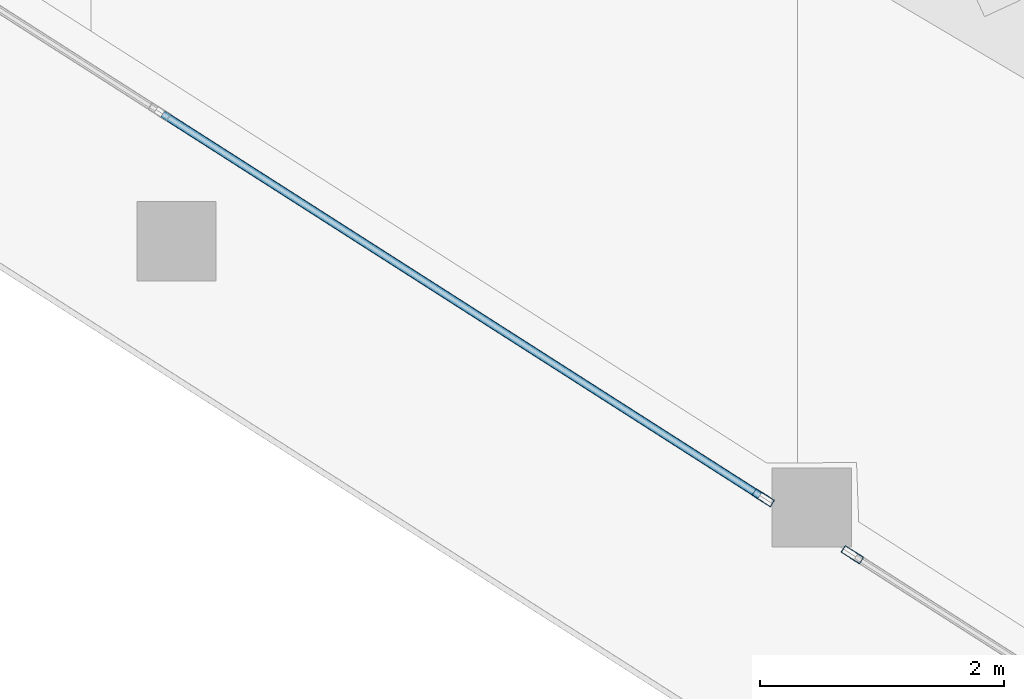
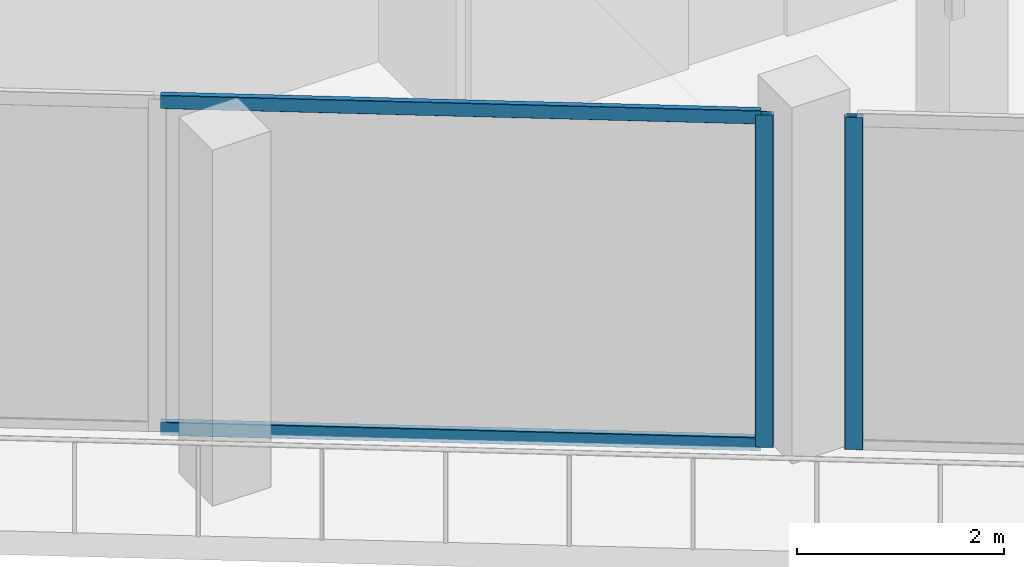
# One storey, part 5 of 44: 4 members, 2 elements without a shape of their own.
"""IFC4 building model written with IfcOpenShell, lengths in metres."""

from ifc_helpers import new_model, si_unit, direction, frame, origin, origin_2d, place, context, subcontext, project, spatial, hollow_rectangle, extrude, material, layer, layer_set, material_profile, profile_set, type_object, element, aggregate, save


model = new_model("IFC4")

# Units and contexts
model_context = context("Model", 3, precision=1e-05, world=origin(), true_north=direction((0.0, 1.0)))
body_context = subcontext(model_context, "Body", "Model", "MODEL_VIEW")
ifc_project = project(units=[si_unit("LENGTHUNIT", "METRE"), si_unit("AREAUNIT", "SQUARE_METRE"), si_unit("VOLUMEUNIT", "CUBIC_METRE"), si_unit("PLANEANGLEUNIT", "RADIAN"), si_unit("MASSUNIT", "GRAM", prefix="KILO")], contexts=[model_context])

# Site, building, storey
site_placement = place(None, origin())
site = spatial("IfcSite", under=ifc_project, at=site_placement, CompositionType="ELEMENT")
building_placement = place(site_placement, origin())
building = spatial("IfcBuilding", under=site, at=building_placement, Name="Qorvath Tower", CompositionType="ELEMENT")
storey_placement = place(building_placement, frame((0.0, 0.0, 53.39990234375)))
storey = spatial("IfcBuildingStorey", under=building, at=storey_placement, Name="L11", CompositionType="ELEMENT", Elevation=53.39990234375)

# Curtain wall, member
ifc_material_1 = material(Name="Anodised aluminium and triple low-E glass", Category="aluminium")
ifc_layer = layer(ifc_material_1, 0.179931640625)
ifc_layer_set = layer_set([ifc_layer], Name="CW-SYS-2")
curtain_wall_type = type_object("IfcCurtainWallType", Name="CW-SYS-2", PredefinedType="NOTDEFINED", material=ifc_layer_set)
curtain_wall_1_placement = place(storey_placement, origin())
curtain_wall_1 = element("IfcCurtainWall", 1, at=curtain_wall_1_placement, inside=storey, type_object=curtain_wall_type, Name="Curtain Wall CW-2 CW-T-L11-2.1", PredefinedType="NOTDEFINED")
ifc_material_2 = material(Name="Anodised aluminium 6063-T6", Category="aluminium")
ifc_material_profile_1 = material_profile(ifc_material_2, hollow_rectangle(XDim=0.06494140625, YDim=0.179931640625, WallThickness=0.00341796875, InnerFilletRadius=0.00341796875, OuterFilletRadius=0.007080078125, at=origin_2d()), Name="CWM 180x65")
ifc_profile_set_1 = profile_set([ifc_material_profile_1], Name="Anodised aluminium 6063-T6")
member_type_1 = type_object("IfcMemberType", Name="CWM-180", PredefinedType="MULLION", material=ifc_profile_set_1)
member_1_placement = place(storey_placement, frame((-40.729736328125, -16.876220703125, 0.0), z_axis=(0.0, 0.0, 1.0), x_axis=(0.538531853978, 0.842605152044, 0.0)))
member_1 = element("IfcMember", 2, at=member_1_placement, type_object=member_type_1, Name="CW-2 mullion 5", PredefinedType="MULLION", context=body_context, shape_type="SweptSolid", body=[
    extrude(hollow_rectangle(XDim=0.06494140625, YDim=0.179931640625, WallThickness=0.00341796875, InnerFilletRadius=0.00341796875, OuterFilletRadius=0.007080078125, at=origin_2d()), origin(), (0.0, 0.0, 1.0), 3.920166015625),
])

curtain_wall_2_placement = place(storey_placement, origin())
curtain_wall_2 = element("IfcCurtainWall", 3, at=curtain_wall_2_placement, inside=storey, type_object=curtain_wall_type, Name="Curtain Wall CW-2 CW-T-L11-2.2", PredefinedType="NOTDEFINED")
member_2_placement = place(storey_placement, frame((-39.999267578125, -17.34326171875, 0.0), z_axis=(0.0, 0.0, 1.0), x_axis=(0.538536571861, 0.842602136698, 0.0)))
member_2 = element("IfcMember", 4, at=member_2_placement, type_object=member_type_1, Name="CW-2 mullion 1", PredefinedType="MULLION", context=body_context, shape_type="SweptSolid", body=[
    extrude(hollow_rectangle(XDim=0.06494140625, YDim=0.179931640625, WallThickness=0.00341796875, InnerFilletRadius=0.00341796875, OuterFilletRadius=0.007080078125, at=origin_2d()), origin(), (0.0, 0.0, 1.0), 3.920166015625),
])
aggregate(curtain_wall_2, [member_2])

# Member
ifc_material_3 = material(Name="Anodised aluminium 6063-T6", Category="aluminium")
ifc_material_profile_2 = material_profile(ifc_material_3, hollow_rectangle(XDim=0.06494140625, YDim=0.159912109375, WallThickness=0.00341796875, InnerFilletRadius=0.00341796875, OuterFilletRadius=0.007080078125, at=origin_2d()), Name="CWT 160x65")
ifc_profile_set_2 = profile_set([ifc_material_profile_2], Name="Anodised aluminium 6063-T6")
member_type_2 = type_object("IfcMemberType", Name="CWT-160", PredefinedType="USERDEFINED", material=ifc_profile_set_2)
member_3_placement = place(storey_placement, frame((-45.649658203125, -13.73193359375, 0.032470703125), z_axis=(0.842607225398, -0.538528609925, 0.0), x_axis=(0.538528609925, 0.842607225398, 0.0)))
member_3 = element("IfcMember", 5, at=member_3_placement, type_object=member_type_2, Name="CW-2 transom 4.1", ObjectType="TRANSOM", PredefinedType="USERDEFINED", context=body_context, shape_type="SweptSolid", body=[
    extrude(hollow_rectangle(XDim=0.06494140625, YDim=0.159912109375, WallThickness=0.00341796875, InnerFilletRadius=0.00341796875, OuterFilletRadius=0.007080078125, at=origin_2d()), origin(), (0.0, 0.0, 1.0), 5.806396484375),
])

member_4_placement = place(storey_placement, frame((-45.649658203125, -13.73193359375, 3.8876953125), z_axis=(0.842607225398, -0.538528609925, 0.0), x_axis=(0.538528609925, 0.842607225398, 0.0)))
member_4 = element("IfcMember", 6, at=member_4_placement, type_object=member_type_2, Name="CW-2 transom 4.2", ObjectType="TRANSOM", PredefinedType="USERDEFINED", context=body_context, shape_type="SweptSolid", body=[
    extrude(hollow_rectangle(XDim=0.06494140625, YDim=0.159912109375, WallThickness=0.00341796875, InnerFilletRadius=0.00341796875, OuterFilletRadius=0.007080078125, at=origin_2d()), origin(), (0.0, 0.0, 1.0), 5.806396484375),
])

aggregate(curtain_wall_1, [member_1, member_3, member_4])

save(model, "model.ifc")
